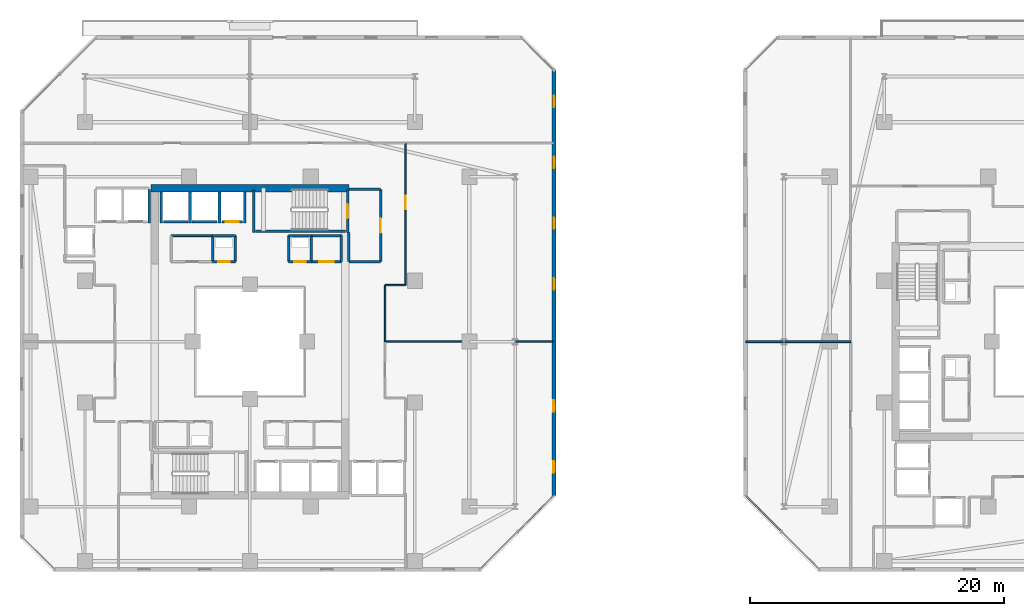
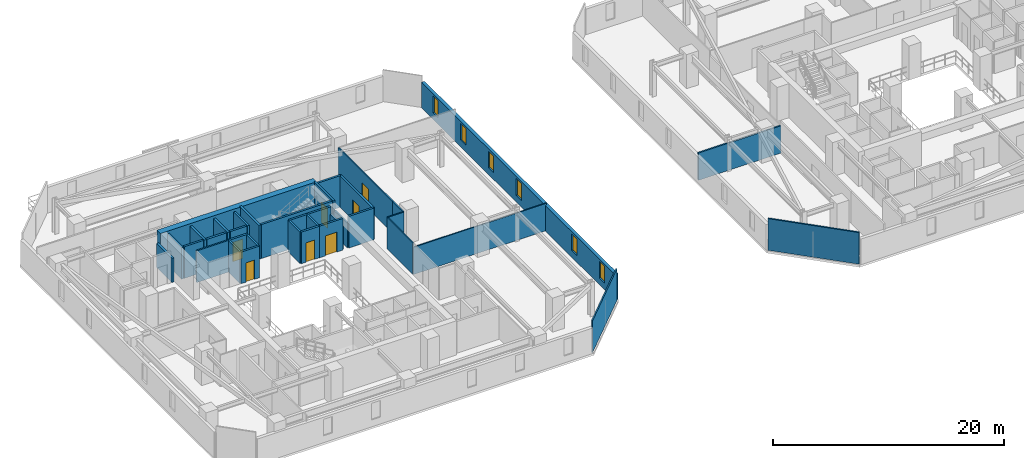
# One storey, part 18 of 30: 37 walls, 7 doors, 6 windows, 13 openings.
"""IFC4 building model written with IfcOpenShell, lengths in metres."""

from ifc_helpers import new_model, si_unit, direction, frame, frame_2d, origin, place, context, subcontext, project, spatial, rectangle, extrude, material, layer, layer_set, type_object, element, fill, save


model = new_model("IFC4")

# Units and contexts
model_context = context("Model", 3, precision=1e-05, world=origin(), true_north=direction((0.0, 1.0)))
body_context = subcontext(model_context, "Body", "Model", "MODEL_VIEW")
ifc_project = project(units=[si_unit("LENGTHUNIT", "METRE"), si_unit("AREAUNIT", "SQUARE_METRE"), si_unit("VOLUMEUNIT", "CUBIC_METRE"), si_unit("PLANEANGLEUNIT", "RADIAN"), si_unit("MASSUNIT", "GRAM", prefix="KILO")], contexts=[model_context])

# Site, building, storey
site_placement = place(None, origin())
site = spatial("IfcSite", under=ifc_project, at=site_placement, CompositionType="ELEMENT")
building_placement = place(site_placement, origin())
building = spatial("IfcBuilding", under=site, at=building_placement, Name="Thornwick Lancets Civic Towers", CompositionType="ELEMENT")
storey_placement = place(building_placement, frame((0.0, 0.0, 80.10009765625)))
storey = spatial("IfcBuildingStorey", under=building, at=storey_placement, Name="L20", CompositionType="ELEMENT", Elevation=80.10009765625)

# Wall, opening, door
ifc_material_1 = material(Name="Concrete blockwork C40/50", Category="masonry")
ifc_layer_1 = layer(ifc_material_1, 0.199951171875, Name="Concrete blockwork C40/50")
ifc_layer_set_1 = layer_set([ifc_layer_1], Name="Concrete blockwork C40/50")
wall_type_1 = type_object("IfcWallType", Name="WALL_COMP_200", PredefinedType="STANDARD", material=ifc_layer_set_1)
wall_1_placement = place(storey_placement, frame((24.919921875, 36.449951171875, 0.0), z_axis=(0.0, 0.0, 1.0), x_axis=(-1.0, 0.0, 0.0)))
wall_1 = element("IfcWall", 1, at=wall_1_placement, inside=storey, type_object=wall_type_1, Name="L20 Hoistway Front Wall FL-A2", PredefinedType="STANDARD", context=body_context, shape_type="SweptSolid", body=[
    extrude(rectangle(XDim=1.639892578125, YDim=0.199951171875, at=frame_2d((0.81982421875, 0.0))), origin(), (0.0, 0.0, 1.0), 3.33984375),
])
opening_1_placement = place(wall_1_placement, frame((0.31005859375, 0.0, 0.0)))
opening_1 = element("IfcOpeningElement", 2, at=opening_1_placement, cuts=wall_1, Name="Opening LD-FL-A2", PredefinedType="OPENING", context=body_context, shape_type="SweptSolid", body=[
    extrude(rectangle(XDim=1.02001953125, YDim=2.06005859375, at=frame_2d((0.510009765625, 1.030029296875))), frame((0.0, 0.10986328125, 0.0), z_axis=(0.0, -1.0, 0.0), x_axis=(1.0, 0.0, 0.0)), (0.0, 0.0, 1.0), 0.219970703125),
])
ifc_material_2 = material(Name="Brushed bronze stainless steel", Category="steel")
door_type_1 = type_object("IfcDoorType", Name="DOOR_LIFT_SLIDE", OperationType="SLIDING_TO_LEFT", PredefinedType="DOOR", material=ifc_material_2)
door_1_placement = place(opening_1_placement, origin())
door_1 = element("IfcDoor", 3, at=door_1_placement, inside=storey, type_object=door_type_1, Name="L20 Sliding Lift Landing Door LD-FL-A2", OperationType="SLIDING_TO_LEFT", OverallHeight=2.06005859375, OverallWidth=1.02001953125, PredefinedType="DOOR", context=body_context, shape_type="SweptSolid", body=[
    extrude(rectangle(XDim=1.02001953125, YDim=2.06005859375, at=frame_2d((0.510009765625, 1.030029296875))), frame((0.0, 0.02490234375, 0.0), z_axis=(0.0, -1.0, 0.0), x_axis=(1.0, 0.0, 0.0)), (0.0, 0.0, 1.0), 0.050048828125),
])
fill(opening_1, door_1)

# Walls
wall_2_placement = place(storey_placement, frame((22.919921875, 36.449951171875, 0.0), z_axis=(0.0, 0.0, 1.0), x_axis=(-1.0, 0.0, 0.0)))
element("IfcWall", 4, at=wall_2_placement, inside=storey, type_object=wall_type_1, Name="L20 Hoistway Front Wall PL-AH2", PredefinedType="STANDARD", context=body_context, shape_type="SweptSolid", body=[
    extrude(rectangle(XDim=1.989990234375, YDim=0.199951171875, at=frame_2d((0.9951171875, 0.0))), origin(), (0.0, 0.0, 1.0), 3.33984375),
])
wall_3_placement = place(storey_placement, frame((20.6201171875, 36.449951171875, 0.0), z_axis=(0.0, 0.0, 1.0), x_axis=(-1.0, 0.0, 0.0)))
element("IfcWall", 5, at=wall_3_placement, inside=storey, type_object=wall_type_1, Name="L20 Hoistway Front Wall PL-AH3", PredefinedType="STANDARD", context=body_context, shape_type="SweptSolid", body=[
    extrude(rectangle(XDim=1.940185546875, YDim=0.199951171875, at=frame_2d((0.97021484375, 0.0))), origin(), (0.0, 0.0, 1.0), 3.33984375),
])
for number, where, z_axis, x_axis, name in (
    (6, (25.10009765625, 36.35205078125, 0.0), (0.0, 0.0, 1.0), (0.0, 1.0, 0.0), "L20 Hoistway Shaft Wall FL-A2 E"),
    (7, (23.10009765625, 36.35205078125, 0.0), (0.0, 0.0, 1.0), (0.0, 1.0, 0.0), "L20 Hoistway Shaft Wall FL-A2 W"),
    (8, (20.77490234375, 36.35205078125, 0.0), (0.0, 0.0, 1.0), (0.0, 1.0, 0.0), "L20 Hoistway Shaft Wall PL-AH2 W"),
    (9, (18.5, 36.35205078125, 0.0), (0.0, 0.0, 1.0), (0.0, 1.0, 0.0), "L20 Hoistway Shaft Wall PL-AH3 W"),
):
    element("IfcWall", number, at=place(storey_placement, frame(where, z_axis=z_axis, x_axis=x_axis)), inside=storey, type_object=wall_type_1, Name=name, PredefinedType="STANDARD", context=body_context, shape_type="SweptSolid", body=[
        extrude(rectangle(XDim=2.43603515625, YDim=0.199951171875, at=frame_2d((1.218017578125, 0.0))), origin(), (0.0, 0.0, 1.0), 3.33984375),
    ])
wall_4_placement = place(storey_placement, frame((17.550048828125, 36.35205078125, 0.0), z_axis=(0.0, 0.0, 1.0), x_axis=(0.0, 1.0, 0.0)))
element("IfcWall", 10, at=wall_4_placement, inside=storey, type_object=wall_type_1, Name="L20 Hoistway Shaft Wall PL-AM1 E", PredefinedType="STANDARD", context=body_context, shape_type="SweptSolid", body=[
    extrude(rectangle(XDim=2.635986328125, YDim=0.199951171875, at=frame_2d((1.31787109375, 0.0))), origin(), (0.0, 0.0, 1.0), 2.544921875),
])
wall_5_placement = place(storey_placement, frame((33.300048828125, 33.300048828125, 0.0), z_axis=(0.0, 0.0, 1.0), x_axis=(1.0, 0.0, 0.0)))
element("IfcWall", 11, at=wall_5_placement, inside=storey, type_object=wall_type_1, Name="L20 Partition L20-A-FFLOB2 E1", PredefinedType="STANDARD", context=body_context, shape_type="SweptSolid", body=[
    extrude(rectangle(XDim=2.5, YDim=0.199951171875, at=frame_2d((1.25, 0.0))), origin(), (0.0, 0.0, 1.0), 3.33984375),
])

# Wall, opening, door
wall_6_placement = place(storey_placement, frame((35.800048828125, 33.300048828125, 0.0), z_axis=(0.0, 0.0, 1.0), x_axis=(0.0, 1.0, 0.0)))
wall_6 = element("IfcWall", 12, at=wall_6_placement, inside=storey, type_object=wall_type_1, Name="L20 Partition L20-A-FFLOB2 E2", PredefinedType="STANDARD", context=body_context, shape_type="SweptSolid", body=[
    extrude(rectangle(XDim=5.699951171875, YDim=0.199951171875, at=frame_2d((2.85009765625, 0.0))), origin(), (0.0, 0.0, 1.0), 3.33984375),
])
opening_2_placement = place(wall_6_placement, frame((2.27490234375, 0.0, 0.0)))
opening_2 = element("IfcOpeningElement", 13, at=opening_2_placement, cuts=wall_6, Name="Opening D-L20-0932", PredefinedType="OPENING", context=body_context, shape_type="SweptSolid", body=[
    extrude(rectangle(XDim=1.14990234375, YDim=2.10009765625, at=frame_2d((0.574951171875, 1.050048828125))), frame((0.0, 0.10986328125, 0.0), z_axis=(0.0, -1.0, 0.0), x_axis=(1.0, 0.0, 0.0)), (0.0, 0.0, 1.0), 0.219970703125),
])
ifc_material_3 = material(Name="Glazed fire-resisting steel", Category="steel")
door_type_2 = type_object("IfcDoorType", Name="DOOR_LOBBY_FD60", OperationType="NOTDEFINED", PredefinedType="DOOR", material=ifc_material_3)
door_2_placement = place(opening_2_placement, origin())
door_2 = element("IfcDoor", 14, at=door_2_placement, inside=storey, type_object=door_type_2, Name="L20 North Firefighting Lobby 2 Door", OperationType="SINGLE_SWING_LEFT", OverallHeight=2.10009765625, OverallWidth=1.14990234375, PredefinedType="DOOR", context=body_context, shape_type="SweptSolid", body=[
    extrude(rectangle(XDim=1.14990234375, YDim=2.10009765625, at=frame_2d((0.574951171875, 1.050048828125))), frame((0.0, 0.02490234375, 0.0), z_axis=(0.0, -1.0, 0.0), x_axis=(1.0, 0.0, 0.0)), (0.0, 0.0, 1.0), 0.050048828125),
])
fill(opening_2, door_2)

# Walls
wall_7_placement = place(storey_placement, frame((35.800048828125, 39.0, 0.0), z_axis=(0.0, 0.0, 1.0), x_axis=(-1.0, 0.0, 0.0)))
element("IfcWall", 15, at=wall_7_placement, inside=storey, type_object=wall_type_1, Name="L20 Partition L20-A-FFLOB2 E3", PredefinedType="STANDARD", context=body_context, shape_type="SweptSolid", body=[
    extrude(rectangle(XDim=2.5, YDim=0.199951171875, at=frame_2d((1.25, 0.0))), origin(), (0.0, 0.0, 1.0), 3.33984375),
])
wall_8_placement = place(storey_placement, frame((33.300048828125, 35.60009765625, 0.0), z_axis=(0.0, 0.0, 1.0), x_axis=(0.0, -1.0, 0.0)))
element("IfcWall", 16, at=wall_8_placement, inside=storey, type_object=wall_type_1, Name="L20 Partition L20-A-FFLOB2 E4", PredefinedType="STANDARD", context=body_context, shape_type="SweptSolid", body=[
    extrude(rectangle(XDim=2.300048828125, YDim=0.199951171875, at=frame_2d((1.14990234375, 0.0))), origin(), (0.0, 0.0, 1.0), 2.544921875),
])

# Wall, opening, door
wall_9_placement = place(storey_placement, frame((22.550048828125, 33.300048828125, 0.0), z_axis=(0.0, 0.0, 1.0), x_axis=(1.0, 0.0, 0.0)))
wall_9 = element("IfcWall", 17, at=wall_9_placement, inside=storey, type_object=wall_type_1, Name="L20 Partition L20-A-DUCT2 E1", PredefinedType="STANDARD", context=body_context, shape_type="SweptSolid", body=[
    extrude(rectangle(XDim=1.800048828125, YDim=0.199951171875, at=frame_2d((0.89990234375, 0.0))), origin(), (0.0, 0.0, 1.0), 3.33984375),
])
opening_3_placement = place(wall_9_placement, frame((0.4599609375, 0.0, 0.0)))
opening_3 = element("IfcOpeningElement", 18, at=opening_3_placement, cuts=wall_9, Name="Opening D-L20-0935", PredefinedType="OPENING", context=body_context, shape_type="SweptSolid", body=[
    extrude(rectangle(XDim=0.8798828125, YDim=2.0400390625, at=frame_2d((0.43994140625, 1.02001953125))), frame((0.0, 0.10986328125, 0.0), z_axis=(0.0, -1.0, 0.0), x_axis=(1.0, 0.0, 0.0)), (0.0, 0.0, 1.0), 0.219970703125),
])
ifc_material_4 = material(Name="Steel riser access doorset", Category="steel")
door_type_3 = type_object("IfcDoorType", Name="DOOR_RISER_850", OperationType="NOTDEFINED", PredefinedType="DOOR", material=ifc_material_4)
door_3_placement = place(opening_3_placement, origin())
door_3 = element("IfcDoor", 19, at=door_3_placement, inside=storey, type_object=door_type_3, Name="L20 North Service Duct 2 Door", OperationType="SINGLE_SWING_RIGHT", OverallHeight=2.0400390625, OverallWidth=0.8798828125, PredefinedType="DOOR", context=body_context, shape_type="SweptSolid", body=[
    extrude(rectangle(XDim=0.8798828125, YDim=2.0400390625, at=frame_2d((0.43994140625, 1.02001953125))), frame((0.0, 0.02490234375, 0.0), z_axis=(0.0, -1.0, 0.0), x_axis=(1.0, 0.0, 0.0)), (0.0, 0.0, 1.0), 0.050048828125),
])
fill(opening_3, door_3)

# Walls
wall_10_placement = place(storey_placement, frame((24.35009765625, 33.300048828125, 0.0), z_axis=(0.0, 0.0, 1.0), x_axis=(0.0, 1.0, 0.0)))
element("IfcWall", 20, at=wall_10_placement, inside=storey, type_object=wall_type_1, Name="L20 Partition L20-A-DUCT2 E2", PredefinedType="STANDARD", context=body_context, shape_type="SweptSolid", body=[
    extrude(rectangle(XDim=2.050048828125, YDim=0.199951171875, at=frame_2d((1.02490234375, 0.0))), origin(), (0.0, 0.0, 1.0), 3.33984375),
])
wall_11_placement = place(storey_placement, frame((24.35009765625, 35.35009765625, 0.0), z_axis=(0.0, 0.0, 1.0), x_axis=(-1.0, 0.0, 0.0)))
element("IfcWall", 21, at=wall_11_placement, inside=storey, type_object=wall_type_1, Name="L20 Partition L20-A-DUCT2 E3", PredefinedType="STANDARD", context=body_context, shape_type="SweptSolid", body=[
    extrude(rectangle(XDim=1.800048828125, YDim=0.199951171875, at=frame_2d((0.89990234375, 0.0))), origin(), (0.0, 0.0, 1.0), 3.33984375),
])
wall_12_placement = place(storey_placement, frame((22.550048828125, 35.35009765625, 0.0), z_axis=(0.0, 0.0, 1.0), x_axis=(0.0, -1.0, 0.0)))
element("IfcWall", 22, at=wall_12_placement, inside=storey, type_object=wall_type_1, Name="L20 Partition L20-A-DUCT2 E4", PredefinedType="STANDARD", context=body_context, shape_type="SweptSolid", body=[
    extrude(rectangle(XDim=2.050048828125, YDim=0.199951171875, at=frame_2d((1.02490234375, 0.0))), origin(), (0.0, 0.0, 1.0), 3.33984375),
])

# Wall, opening, door
wall_13_placement = place(storey_placement, frame((28.550048828125, 33.300048828125, 0.0), z_axis=(0.0, 0.0, 1.0), x_axis=(1.0, 0.0, 0.0)))
wall_13 = element("IfcWall", 23, at=wall_13_placement, inside=storey, type_object=wall_type_1, Name="L20 Partition L20-A-RISER2 E1", PredefinedType="STANDARD", context=body_context, shape_type="SweptSolid", body=[
    extrude(rectangle(XDim=1.800048828125, YDim=0.199951171875, at=frame_2d((0.89990234375, 0.0))), origin(), (0.0, 0.0, 1.0), 3.33984375),
])
opening_4_placement = place(wall_13_placement, frame((0.4599609375, 0.0, 0.0)))
opening_4 = element("IfcOpeningElement", 24, at=opening_4_placement, cuts=wall_13, Name="Opening D-L20-0936", PredefinedType="OPENING", context=body_context, shape_type="SweptSolid", body=[
    extrude(rectangle(XDim=0.8798828125, YDim=2.0400390625, at=frame_2d((0.43994140625, 1.02001953125))), frame((0.0, 0.10986328125, 0.0), z_axis=(0.0, -1.0, 0.0), x_axis=(1.0, 0.0, 0.0)), (0.0, 0.0, 1.0), 0.219970703125),
])
door_4_placement = place(opening_4_placement, origin())
door_4 = element("IfcDoor", 25, at=door_4_placement, inside=storey, type_object=door_type_3, Name="L20 North Service Riser 2 Door", OperationType="SINGLE_SWING_LEFT", OverallHeight=2.0400390625, OverallWidth=0.8798828125, PredefinedType="DOOR", context=body_context, shape_type="SweptSolid", body=[
    extrude(rectangle(XDim=0.8798828125, YDim=2.0400390625, at=frame_2d((0.43994140625, 1.02001953125))), frame((0.0, 0.02490234375, 0.0), z_axis=(0.0, -1.0, 0.0), x_axis=(1.0, 0.0, 0.0)), (0.0, 0.0, 1.0), 0.050048828125),
])
fill(opening_4, door_4)

# Walls
wall_14_placement = place(storey_placement, frame((30.35009765625, 33.300048828125, 0.0), z_axis=(0.0, 0.0, 1.0), x_axis=(0.0, 1.0, 0.0)))
element("IfcWall", 26, at=wall_14_placement, inside=storey, type_object=wall_type_1, Name="L20 Partition L20-A-RISER2 E2", PredefinedType="STANDARD", context=body_context, shape_type="SweptSolid", body=[
    extrude(rectangle(XDim=2.050048828125, YDim=0.199951171875, at=frame_2d((1.02490234375, 0.0))), origin(), (0.0, 0.0, 1.0), 3.33984375),
])
wall_15_placement = place(storey_placement, frame((30.35009765625, 35.35009765625, 0.0), z_axis=(0.0, 0.0, 1.0), x_axis=(-1.0, 0.0, 0.0)))
element("IfcWall", 27, at=wall_15_placement, inside=storey, type_object=wall_type_1, Name="L20 Partition L20-A-RISER2 E3", PredefinedType="STANDARD", context=body_context, shape_type="SweptSolid", body=[
    extrude(rectangle(XDim=1.800048828125, YDim=0.199951171875, at=frame_2d((0.89990234375, 0.0))), origin(), (0.0, 0.0, 1.0), 3.33984375),
])
wall_16_placement = place(storey_placement, frame((28.550048828125, 35.35009765625, 0.0), z_axis=(0.0, 0.0, 1.0), x_axis=(0.0, -1.0, 0.0)))
element("IfcWall", 28, at=wall_16_placement, inside=storey, type_object=wall_type_1, Name="L20 Partition L20-A-RISER2 E4", PredefinedType="STANDARD", context=body_context, shape_type="SweptSolid", body=[
    extrude(rectangle(XDim=2.050048828125, YDim=0.199951171875, at=frame_2d((1.02490234375, 0.0))), origin(), (0.0, 0.0, 1.0), 3.33984375),
])
wall_17_placement = place(storey_placement, frame((32.699951171875, 35.35009765625, 0.0), z_axis=(0.0, 0.0, 1.0), x_axis=(0.0, -1.0, 0.0)))
element("IfcWall", 29, at=wall_17_placement, inside=storey, type_object=wall_type_1, Name="L20 Partition L20-A-STR E1", PredefinedType="STANDARD", context=body_context, shape_type="SweptSolid", body=[
    extrude(rectangle(XDim=2.050048828125, YDim=0.199951171875, at=frame_2d((1.02490234375, 0.0))), origin(), (0.0, 0.0, 1.0), 2.544921875),
])

# Wall, opening, door
wall_18_placement = place(storey_placement, frame((32.699951171875, 33.300048828125, 0.0), z_axis=(0.0, 0.0, 1.0), x_axis=(-1.0, 0.0, 0.0)))
wall_18 = element("IfcWall", 30, at=wall_18_placement, inside=storey, type_object=wall_type_1, Name="L20 Partition L20-A-STR E2", PredefinedType="STANDARD", context=body_context, shape_type="SweptSolid", body=[
    extrude(rectangle(XDim=2.349853515625, YDim=0.199951171875, at=frame_2d((1.1748046875, 0.0))), origin(), (0.0, 0.0, 1.0), 3.33984375),
])
opening_5_placement = place(wall_18_placement, frame((0.60009765625, 0.0, 0.0)))
opening_5 = element("IfcOpeningElement", 31, at=opening_5_placement, cuts=wall_18, Name="Opening D-L20-0941", PredefinedType="OPENING", context=body_context, shape_type="SweptSolid", body=[
    extrude(rectangle(XDim=1.14990234375, YDim=2.10009765625, at=frame_2d((0.574951171875, 1.050048828125))), frame((0.0, 0.10986328125, 0.0), z_axis=(0.0, -1.0, 0.0), x_axis=(1.0, 0.0, 0.0)), (0.0, 0.0, 1.0), 0.219970703125),
])
door_5_placement = place(opening_5_placement, origin())
door_5 = element("IfcDoor", 32, at=door_5_placement, inside=storey, type_object=door_type_2, Name="L20 Tower A Core Equipment Store Door", OperationType="SINGLE_SWING_RIGHT", OverallHeight=2.10009765625, OverallWidth=1.14990234375, PredefinedType="DOOR", context=body_context, shape_type="SweptSolid", body=[
    extrude(rectangle(XDim=1.14990234375, YDim=2.10009765625, at=frame_2d((0.574951171875, 1.050048828125))), frame((0.0, 0.02490234375, 0.0), z_axis=(0.0, -1.0, 0.0), x_axis=(1.0, 0.0, 0.0)), (0.0, 0.0, 1.0), 0.050048828125),
])
fill(opening_5, door_5)

# Walls
wall_19_placement = place(storey_placement, frame((30.35009765625, 35.35009765625, 0.0), z_axis=(0.0, 0.0, 1.0), x_axis=(1.0, 0.0, 0.0)))
element("IfcWall", 33, at=wall_19_placement, inside=storey, type_object=wall_type_1, Name="L20 Partition L20-A-STR E4", PredefinedType="STANDARD", context=body_context, shape_type="SweptSolid", body=[
    extrude(rectangle(XDim=2.349853515625, YDim=0.199951171875, at=frame_2d((1.1748046875, 0.0))), origin(), (0.0, 0.0, 1.0), 3.33984375),
])
ifc_material_5 = material(Name="Concrete C60/75", Category="concrete")
ifc_layer_2 = layer(ifc_material_5, 0.60009765625, Name="Concrete C60/75")
ifc_layer_set_2 = layer_set([ifc_layer_2], Name="Concrete C60/75")
wall_type_2 = type_object("IfcWallType", Name="WALL_CORE_600", PredefinedType="SHEAR", material=ifc_layer_set_2)
wall_20_placement = place(storey_placement, frame((17.699951171875, 39.10009765625, 0.0), z_axis=(0.0, 0.0, 1.0), x_axis=(1.0, 0.0, 0.0)))
element("IfcWall", 34, at=wall_20_placement, inside=storey, type_object=wall_type_2, Name="L20 Split Core A2 Shear Wall N", PredefinedType="SHEAR", context=body_context, shape_type="SweptSolid", body=[
    extrude(rectangle(XDim=15.60009765625, YDim=0.60009765625, at=frame_2d((7.800048828125, 0.0))), origin(), (0.0, 0.0, 1.0), 3.599853515625),
])

# Wall, openings, windows
ifc_material_6 = material(Name="Insulated buff terracotta rainscreen on concrete C40/50", Category="masonry")
ifc_layer_3 = layer(ifc_material_6, 0.320068359375, Name="Insulated buff terracotta rainscreen on concrete C40/50")
ifc_layer_set_3 = layer_set([ifc_layer_3], Name="Insulated buff terracotta rainscreen on concrete C40/50")
wall_type_3 = type_object("IfcWallType", Name="WALL_EXT_TERRA_320", PredefinedType="STANDARD", material=ifc_layer_set_3)
wall_21_placement = place(storey_placement, frame((49.4541015625, 14.87841796875, 0.0), z_axis=(0.0, 0.0, 1.0), x_axis=(0.000313347115, 0.999999950907, 0.0)))
wall_21 = element("IfcWall", 35, at=wall_21_placement, inside=storey, type_object=wall_type_3, Name="L20 Tower A Terracotta Facade Wall E2", PredefinedType="STANDARD", context=body_context, shape_type="SweptSolid", body=[
    extrude(rectangle(XDim=33.5029296875, YDim=0.320068359375, at=frame_2d((16.75146484375, 0.0))), origin(), (0.0, 0.0, 1.0), 2.699951171875),
])
opening_6_placement = place(wall_21_placement, frame((1.800048828125, 0.0, 0.719970703125)))
opening_6 = element("IfcOpeningElement", 36, at=opening_6_placement, cuts=wall_21, Name="Opening WL-01", PredefinedType="OPENING", context=body_context, shape_type="SweptSolid", body=[
    extrude(rectangle(XDim=0.89990234375, YDim=1.75, at=frame_2d((0.449951171875, 0.875))), frame((0.0, 0.169921875, 0.0), z_axis=(0.0, -1.0, 0.0), x_axis=(1.0, 0.0, 0.0)), (0.0, 0.0, 1.0), 0.340087890625),
])
opening_7_placement = place(wall_21_placement, frame((6.60009765625, 0.0, 0.719970703125)))
opening_7 = element("IfcOpeningElement", 37, at=opening_7_placement, cuts=wall_21, Name="Opening WL-01", PredefinedType="OPENING", context=body_context, shape_type="SweptSolid", body=[
    extrude(rectangle(XDim=0.89990234375, YDim=1.75, at=frame_2d((0.449951171875, 0.875))), frame((0.0, 0.169921875, 0.0), z_axis=(0.0, -1.0, 0.0), x_axis=(1.0, 0.0, 0.0)), (0.0, 0.0, 1.0), 0.340087890625),
])
opening_8_placement = place(wall_21_placement, frame((16.199951171875, 0.0, 0.719970703125)))
opening_8 = element("IfcOpeningElement", 38, at=opening_8_placement, cuts=wall_21, Name="Opening WL-01", PredefinedType="OPENING", context=body_context, shape_type="SweptSolid", body=[
    extrude(rectangle(XDim=0.89990234375, YDim=1.75, at=frame_2d((0.449951171875, 0.875))), frame((0.0, 0.169921875, 0.0), z_axis=(0.0, -1.0, 0.0), x_axis=(1.0, 0.0, 0.0)), (0.0, 0.0, 1.0), 0.340087890625),
])
opening_9_placement = place(wall_21_placement, frame((21.0, 0.0, 0.719970703125)))
opening_9 = element("IfcOpeningElement", 39, at=opening_9_placement, cuts=wall_21, Name="Opening WL-01", PredefinedType="OPENING", context=body_context, shape_type="SweptSolid", body=[
    extrude(rectangle(XDim=0.89990234375, YDim=1.75, at=frame_2d((0.449951171875, 0.875))), frame((0.0, 0.169921875, 0.0), z_axis=(0.0, -1.0, 0.0), x_axis=(1.0, 0.0, 0.0)), (0.0, 0.0, 1.0), 0.340087890625),
])
opening_10_placement = place(wall_21_placement, frame((25.800048828125, 0.0, 0.719970703125)))
opening_10 = element("IfcOpeningElement", 40, at=opening_10_placement, cuts=wall_21, Name="Opening WL-01", PredefinedType="OPENING", context=body_context, shape_type="SweptSolid", body=[
    extrude(rectangle(XDim=0.89990234375, YDim=1.75, at=frame_2d((0.449951171875, 0.875))), frame((0.0, 0.169921875, 0.0), z_axis=(0.0, -1.0, 0.0), x_axis=(1.0, 0.0, 0.0)), (0.0, 0.0, 1.0), 0.340087890625),
])
opening_11_placement = place(wall_21_placement, frame((30.60009765625, 0.0, 0.719970703125)))
opening_11 = element("IfcOpeningElement", 41, at=opening_11_placement, cuts=wall_21, Name="Opening WL-01", PredefinedType="OPENING", context=body_context, shape_type="SweptSolid", body=[
    extrude(rectangle(XDim=0.89990234375, YDim=1.75, at=frame_2d((0.449951171875, 0.875))), frame((0.0, 0.169921875, 0.0), z_axis=(0.0, -1.0, 0.0), x_axis=(1.0, 0.0, 0.0)), (0.0, 0.0, 1.0), 0.340087890625),
])
ifc_material_7 = material(Name="Clear low-e double glazing in bronze frame", Category="glass")
window_type = type_object("IfcWindowType", Name="WIN_LANCET_900", PartitioningType="SINGLE_PANEL", PredefinedType="WINDOW", material=ifc_material_7)
window_1_placement = place(opening_6_placement, origin())
window_1 = element("IfcWindow", 42, at=window_1_placement, inside=storey, type_object=window_type, Name="L20 Tower A Staggered Lancet Window E2-1", OverallHeight=1.75, OverallWidth=0.89990234375, PartitioningType="SINGLE_PANEL", PredefinedType="WINDOW", context=body_context, shape_type="SweptSolid", body=[
    extrude(rectangle(XDim=0.89990234375, YDim=1.75, at=frame_2d((0.449951171875, 0.875))), frame((0.0, 0.030029296875, 0.0), z_axis=(0.0, -1.0, 0.0), x_axis=(1.0, 0.0, 0.0)), (0.0, 0.0, 1.0), 0.06005859375),
])
fill(opening_6, window_1)
window_2_placement = place(opening_7_placement, origin())
window_2 = element("IfcWindow", 43, at=window_2_placement, inside=storey, type_object=window_type, Name="L20 Tower A Staggered Lancet Window E2-2", OverallHeight=1.75, OverallWidth=0.89990234375, PartitioningType="SINGLE_PANEL", PredefinedType="WINDOW", context=body_context, shape_type="SweptSolid", body=[
    extrude(rectangle(XDim=0.89990234375, YDim=1.75, at=frame_2d((0.449951171875, 0.875))), frame((0.0, 0.030029296875, 0.0), z_axis=(0.0, -1.0, 0.0), x_axis=(1.0, 0.0, 0.0)), (0.0, 0.0, 1.0), 0.06005859375),
])
fill(opening_7, window_2)
window_3_placement = place(opening_8_placement, origin())
window_3 = element("IfcWindow", 44, at=window_3_placement, inside=storey, type_object=window_type, Name="L20 Tower A Staggered Lancet Window E2-3", OverallHeight=1.75, OverallWidth=0.89990234375, PartitioningType="SINGLE_PANEL", PredefinedType="WINDOW", context=body_context, shape_type="SweptSolid", body=[
    extrude(rectangle(XDim=0.89990234375, YDim=1.75, at=frame_2d((0.449951171875, 0.875))), frame((0.0, 0.030029296875, 0.0), z_axis=(0.0, -1.0, 0.0), x_axis=(1.0, 0.0, 0.0)), (0.0, 0.0, 1.0), 0.06005859375),
])
fill(opening_8, window_3)
window_4_placement = place(opening_9_placement, origin())
window_4 = element("IfcWindow", 45, at=window_4_placement, inside=storey, type_object=window_type, Name="L20 Tower A Staggered Lancet Window E2-4", OverallHeight=1.75, OverallWidth=0.89990234375, PartitioningType="SINGLE_PANEL", PredefinedType="WINDOW", context=body_context, shape_type="SweptSolid", body=[
    extrude(rectangle(XDim=0.89990234375, YDim=1.75, at=frame_2d((0.449951171875, 0.875))), frame((0.0, 0.030029296875, 0.0), z_axis=(0.0, -1.0, 0.0), x_axis=(1.0, 0.0, 0.0)), (0.0, 0.0, 1.0), 0.06005859375),
])
fill(opening_9, window_4)
window_5_placement = place(opening_10_placement, origin())
window_5 = element("IfcWindow", 46, at=window_5_placement, inside=storey, type_object=window_type, Name="L20 Tower A Staggered Lancet Window E2-5", OverallHeight=1.75, OverallWidth=0.89990234375, PartitioningType="SINGLE_PANEL", PredefinedType="WINDOW", context=body_context, shape_type="SweptSolid", body=[
    extrude(rectangle(XDim=0.89990234375, YDim=1.75, at=frame_2d((0.449951171875, 0.875))), frame((0.0, 0.030029296875, 0.0), z_axis=(0.0, -1.0, 0.0), x_axis=(1.0, 0.0, 0.0)), (0.0, 0.0, 1.0), 0.06005859375),
])
fill(opening_10, window_5)
window_6_placement = place(opening_11_placement, origin())
window_6 = element("IfcWindow", 47, at=window_6_placement, inside=storey, type_object=window_type, Name="L20 Tower A Staggered Lancet Window E2-6", OverallHeight=1.75, OverallWidth=0.89990234375, PartitioningType="SINGLE_PANEL", PredefinedType="WINDOW", context=body_context, shape_type="SweptSolid", body=[
    extrude(rectangle(XDim=0.89990234375, YDim=1.75, at=frame_2d((0.449951171875, 0.875))), frame((0.0, 0.030029296875, 0.0), z_axis=(0.0, -1.0, 0.0), x_axis=(1.0, 0.0, 0.0)), (0.0, 0.0, 1.0), 0.06005859375),
])
fill(opening_11, window_6)

# Walls
ifc_material_8 = material(Name="Acoustic gypsum board partition")
ifc_layer_4 = layer(ifc_material_8, 0.1201171875, Name="Acoustic gypsum board partition")
ifc_layer_set_4 = layer_set([ifc_layer_4], Name="Acoustic gypsum board partition")
wall_type_4 = type_object("IfcWallType", Name="WALL_PART_120", PredefinedType="PARTITIONING", material=ifc_layer_set_4)
wall_22_placement = place(storey_placement, frame((36.14990234375, 27.0, 0.0), z_axis=(0.0, 0.0, 1.0), x_axis=(1.0, 0.0, 0.0)))
element("IfcWall", 48, at=wall_22_placement, inside=storey, type_object=wall_type_4, Name="L20 Partition L20-A-E1 E5", PredefinedType="PARTITIONING", context=body_context, shape_type="SweptSolid", body=[
    extrude(rectangle(XDim=13.27001953125, YDim=0.1201171875, at=frame_2d((6.635009765625, 0.0))), origin(), (0.0, 0.0, 1.0), 2.881591796875),
])
wall_23_placement = place(storey_placement, frame((49.419921875, 14.84765625, 0.0), z_axis=(0.0, 0.0, 1.0), x_axis=(-0.707106781187, -0.707106781187, 0.0)))
element("IfcWall", 49, at=wall_23_placement, inside=storey, type_object=wall_type_4, Name="L20 Partition L20-A-E1 E7", PredefinedType="PARTITIONING", context=body_context, shape_type="SweptSolid", body=[
    extrude(rectangle(XDim=8.156494140625, YDim=0.1201171875, at=frame_2d((4.078125, 0.0))), origin(), (0.0, 0.0, 1.0), 3.33984375),
])
wall_24_placement = place(storey_placement, frame((36.14990234375, 31.449951171875, 0.0), z_axis=(0.0, 0.0, 1.0), x_axis=(1.0, 0.0, 0.0)))
element("IfcWall", 50, at=wall_24_placement, inside=storey, type_object=wall_type_4, Name="L20 Partition L20-A-E2 E1", PredefinedType="PARTITIONING", context=body_context, shape_type="SweptSolid", body=[
    extrude(rectangle(XDim=1.60009765625, YDim=0.1201171875, at=frame_2d((0.800048828125, 0.0))), origin(), (0.0, 0.0, 1.0), 3.33984375),
])
wall_25_placement = place(storey_placement, frame((37.75, 31.449951171875, 0.0), z_axis=(0.0, 0.0, 1.0), x_axis=(0.0, 1.0, 0.0)))
element("IfcWall", 51, at=wall_25_placement, inside=storey, type_object=wall_type_4, Name="L20 Partition L20-A-E2 E2", PredefinedType="PARTITIONING", context=body_context, shape_type="SweptSolid", body=[
    extrude(rectangle(XDim=1.85009765625, YDim=0.1201171875, at=frame_2d((0.925048828125, 0.0))), origin(), (0.0, 0.0, 1.0), 3.33984375),
])

# Wall, opening, door
wall_26_placement = place(storey_placement, frame((37.75, 33.300048828125, 0.0), z_axis=(0.0, 0.0, 1.0), x_axis=(0.0, 1.0, 0.0)))
wall_26 = element("IfcWall", 52, at=wall_26_placement, inside=storey, type_object=wall_type_4, Name="L20 Partition L20-A-E2 E3", PredefinedType="PARTITIONING", context=body_context, shape_type="SweptSolid", body=[
    extrude(rectangle(XDim=9.349853515625, YDim=0.1201171875, at=frame_2d((4.6748046875, 0.0))), origin(), (0.0, 0.0, 1.0), 3.33984375),
])
opening_12_placement = place(wall_26_placement, frame((4.14990234375, 0.0, 0.0)))
opening_12 = element("IfcOpeningElement", 53, at=opening_12_placement, cuts=wall_26, Name="Opening D-L20-0956", PredefinedType="OPENING", context=body_context, shape_type="SweptSolid", body=[
    extrude(rectangle(XDim=1.050048828125, YDim=2.10009765625, at=frame_2d((0.52490234375, 1.050048828125))), frame((0.0, 0.070068359375, 0.0), z_axis=(0.0, -1.0, 0.0), x_axis=(1.0, 0.0, 0.0)), (0.0, 0.0, 1.0), 0.14013671875),
])
ifc_material_9 = material(Name="Glazed European oak executive doorset")
door_type_4 = type_object("IfcDoorType", Name="DOOR_OFFICE_1050", OperationType="NOTDEFINED", PredefinedType="DOOR", material=ifc_material_9)
door_6_placement = place(opening_12_placement, origin())
door_6 = element("IfcDoor", 54, at=door_6_placement, inside=storey, type_object=door_type_4, Name="L20 Tower A Visitors Reception and Waiting Door", OperationType="SINGLE_SWING_LEFT", OverallHeight=2.10009765625, OverallWidth=1.050048828125, PredefinedType="DOOR", context=body_context, shape_type="SweptSolid", body=[
    extrude(rectangle(XDim=1.050048828125, YDim=2.10009765625, at=frame_2d((0.52490234375, 1.050048828125))), frame((0.0, 0.02490234375, 0.0), z_axis=(0.0, -1.0, 0.0), x_axis=(1.0, 0.0, 0.0)), (0.0, 0.0, 1.0), 0.050048828125),
])
fill(opening_12, door_6)

# Walls
wall_27_placement = place(storey_placement, frame((36.14990234375, 27.0, 0.0), z_axis=(0.0, 0.0, 1.0), x_axis=(0.0, 1.0, 0.0)))
element("IfcWall", 55, at=wall_27_placement, inside=storey, type_object=wall_type_4, Name="L20 Partition L20-A-E2 E7", PredefinedType="PARTITIONING", context=body_context, shape_type="SweptSolid", body=[
    extrude(rectangle(XDim=4.449951171875, YDim=0.1201171875, at=frame_2d((2.22509765625, 0.0))), origin(), (0.0, 0.0, 1.0), 3.33984375),
])
ifc_material_10 = material(Name="Twin-stud acoustic gypsum board")
ifc_layer_5 = layer(ifc_material_10, 0.14990234375, Name="Twin-stud acoustic gypsum board")
ifc_layer_set_5 = layer_set([ifc_layer_5], Name="Twin-stud acoustic gypsum board")
wall_type_5 = type_object("IfcWallType", Name="WALL_PART_150", PredefinedType="PARTITIONING", material=ifc_layer_set_5)
wall_28_placement = place(storey_placement, frame((19.300048828125, 35.35009765625, 0.0), z_axis=(0.0, 0.0, 1.0), x_axis=(1.0, 0.0, 0.0)))
element("IfcWall", 56, at=wall_28_placement, inside=storey, type_object=wall_type_5, Name="L20 Partition L20-A-FWC E2", PredefinedType="PARTITIONING", context=body_context, shape_type="SweptSolid", body=[
    extrude(rectangle(XDim=3.25, YDim=0.14990234375, at=frame_2d((1.625, 0.0))), origin(), (0.0, 0.0, 1.0), 3.33984375),
])
wall_29_placement = place(storey_placement, frame((70.34765625, 9.080078125, 0.0), z_axis=(0.0, 0.0, 1.0), x_axis=(-0.707106781187, 0.707106781187, 0.0)))
element("IfcWall", 57, at=wall_29_placement, inside=storey, type_object=wall_type_5, Name="L20 Partition L20-B-N-CONF E3", PredefinedType="PARTITIONING", context=body_context, shape_type="SweptSolid", body=[
    extrude(rectangle(XDim=8.156494140625, YDim=0.14990234375, at=frame_2d((4.078125, 0.0))), origin(), (0.0, 0.0, 1.0), 3.33984375),
])
wall_30_placement = place(storey_placement, frame((64.580078125, 27.0, 0.0), z_axis=(0.0, 0.0, 1.0), x_axis=(1.0, 0.0, 0.0)))
element("IfcWall", 58, at=wall_30_placement, inside=storey, type_object=wall_type_5, Name="L20 Partition L20-B-N-CONF E5", PredefinedType="PARTITIONING", context=body_context, shape_type="SweptSolid", body=[
    extrude(rectangle(XDim=8.27001953125, YDim=0.14990234375, at=frame_2d((4.135009765625, 0.0))), origin(), (0.0, 0.0, 1.0), 2.881591796875),
])

# Wall, opening, door
ifc_material_11 = material(Name="Concrete C40/50", Category="concrete")
ifc_layer_6 = layer(ifc_material_11, 0.199951171875, Name="Concrete C40/50")
ifc_layer_set_6 = layer_set([ifc_layer_6], Name="Concrete C40/50")
wall_type_6 = type_object("IfcWallType", Name="WALL_SHAFT_200", PredefinedType="SHEAR", material=ifc_layer_set_6)
wall_31_placement = place(storey_placement, frame((33.199951171875, 38.949951171875, 0.0), z_axis=(0.0, 0.0, 1.0), x_axis=(0.0, -1.0, 0.0)))
wall_31 = element("IfcWall", 59, at=wall_31_placement, inside=storey, type_object=wall_type_6, Name="L20 ST-A2 Fire Stair Core Wall NEAR", PredefinedType="SHEAR", context=body_context, shape_type="SweptSolid", body=[
    extrude(rectangle(XDim=3.349853515625, YDim=0.199951171875, at=frame_2d((1.6748046875, 0.0))), origin(), (0.0, 0.0, 1.0), 3.599853515625),
])
opening_13_placement = place(wall_31_placement, frame((1.125, 0.0, 0.0)))
opening_13 = element("IfcOpeningElement", 60, at=opening_13_placement, cuts=wall_31, Name="Opening D-ST-A2-L20", PredefinedType="OPENING", context=body_context, shape_type="SweptSolid", body=[
    extrude(rectangle(XDim=1.10009765625, YDim=2.10009765625, at=frame_2d((0.550048828125, 1.050048828125))), frame((0.0, 0.10986328125, 0.0), z_axis=(0.0, -1.0, 0.0), x_axis=(1.0, 0.0, 0.0)), (0.0, 0.0, 1.0), 0.219970703125),
])
ifc_material_12 = material(Name="Fire-resisting steel and hardwood", Category="steel")
door_type_5 = type_object("IfcDoorType", Name="DOOR_STAIR_FD60", OperationType="NOTDEFINED", PredefinedType="DOOR", material=ifc_material_12)
door_7_placement = place(opening_13_placement, origin())
door_7 = element("IfcDoor", 61, at=door_7_placement, inside=storey, type_object=door_type_5, Name="L20 ST-A2 Exit Stair Door", OperationType="SINGLE_SWING_LEFT", OverallHeight=2.10009765625, OverallWidth=1.10009765625, PredefinedType="DOOR", context=body_context, shape_type="SweptSolid", body=[
    extrude(rectangle(XDim=1.10009765625, YDim=2.10009765625, at=frame_2d((0.550048828125, 1.050048828125))), frame((0.0, 0.02490234375, 0.0), z_axis=(0.0, -1.0, 0.0), x_axis=(1.0, 0.0, 0.0)), (0.0, 0.0, 1.0), 0.050048828125),
])
fill(opening_13, door_7)

# Walls
wall_32_placement = place(storey_placement, frame((25.800048828125, 35.60009765625, 0.0), z_axis=(0.0, 0.0, 1.0), x_axis=(0.0, 1.0, 0.0)))
element("IfcWall", 62, at=wall_32_placement, inside=storey, type_object=wall_type_6, Name="L20 ST-A2 Fire Stair Core Wall FAR", PredefinedType="SHEAR", context=body_context, shape_type="SweptSolid", body=[
    extrude(rectangle(XDim=3.349853515625, YDim=0.199951171875, at=frame_2d((1.6748046875, 0.0))), origin(), (0.0, 0.0, 1.0), 3.599853515625),
])
wall_33_placement = place(storey_placement, frame((25.949951171875, 35.702880859375, 0.0), z_axis=(0.0, 0.0, 1.0), x_axis=(1.0, 0.0, 0.0)))
element("IfcWall", 63, at=wall_33_placement, inside=storey, type_object=wall_type_6, Name="L20 ST-A2 Fire Stair Core Wall RIGHT", PredefinedType="SHEAR", context=body_context, shape_type="SweptSolid", body=[
    extrude(rectangle(XDim=7.10009765625, YDim=0.199951171875, at=frame_2d((3.550048828125, 0.0))), origin(), (0.0, 0.0, 1.0), 3.599853515625),
])

save(model, "model.ifc")
